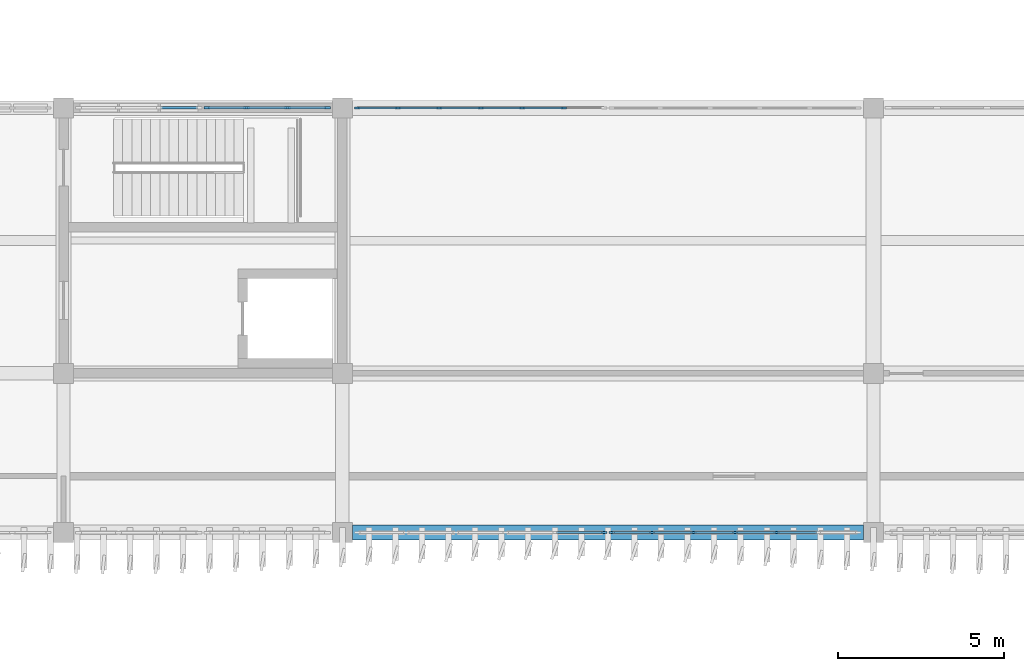
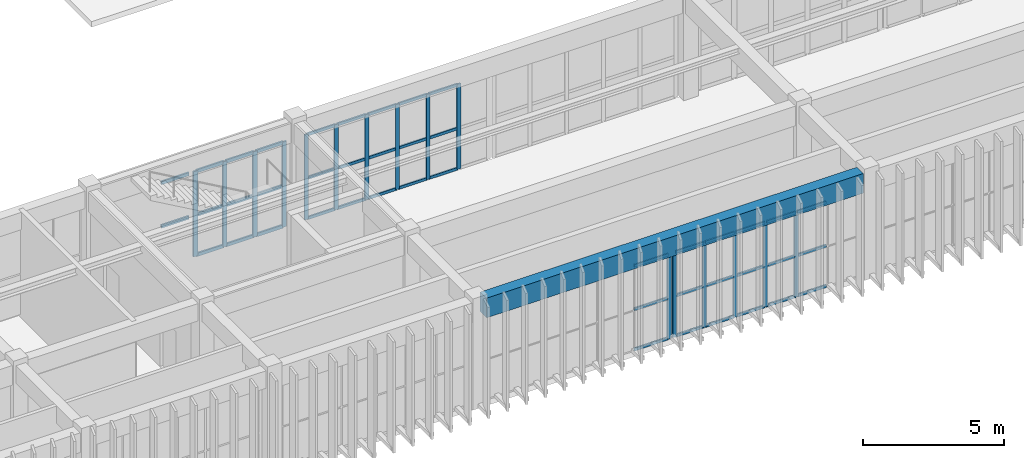
# One storey, part 35 of 76: 60 members, 1 beam, 5 elements without a shape of their own.
"""IFC4 building model written with IfcOpenShell, lengths in metres."""

from ifc_helpers import new_model, si_unit, direction, frame, origin, origin_2d, place, context, subcontext, project, spatial, rectangle, extrude, material, layer, layer_set, material_profile, profile_set, type_object, element, aggregate, save


model = new_model("IFC4")

# Units and contexts
model_context = context("Model", 3, precision=1e-05, world=origin(), true_north=direction((0.0, 1.0)))
body_context = subcontext(model_context, "Body", "Model", "MODEL_VIEW")
ifc_project = project(units=[si_unit("LENGTHUNIT", "METRE"), si_unit("AREAUNIT", "SQUARE_METRE"), si_unit("VOLUMEUNIT", "CUBIC_METRE"), si_unit("PLANEANGLEUNIT", "RADIAN"), si_unit("MASSUNIT", "GRAM", prefix="KILO")], contexts=[model_context])

# Site, building, storey
site_placement = place(None, origin())
site = spatial("IfcSite", under=ifc_project, at=site_placement, CompositionType="ELEMENT")
building_placement = place(site_placement, origin())
building = spatial("IfcBuilding", under=site, at=building_placement, Name="Cinchona Park Media Centre", CompositionType="ELEMENT")
storey_placement = place(building_placement, frame((0.0, 0.0, 15.60009765625)))
storey = spatial("IfcBuildingStorey", under=building, at=storey_placement, Name="L03", CompositionType="ELEMENT", Elevation=15.60009765625)

# Beam
ifc_material_1 = material(Name="Concrete C35/45", Category="concrete")
ifc_material_profile_1 = material_profile(ifc_material_1, rectangle(XDim=0.449951171875, YDim=0.85009765625, at=origin_2d()), Name="RB 450X850")
ifc_profile_set_1 = profile_set([ifc_material_profile_1], Name="Concrete C35/45")
beam_type = type_object("IfcBeamType", Name="BEAM-B02-RB450X850", PredefinedType="BEAM", material=ifc_profile_set_1)
beam_placement = place(storey_placement, frame((95.10009765625, 74.800048828125, 4.15478515625), z_axis=(1.0, 0.0, 0.0), x_axis=(0.0, 1.0, 0.0)))
element("IfcBeam", 1, at=beam_placement, inside=storey, type_object=beam_type, Name="Beam B02 L03", PredefinedType="BEAM", context=body_context, shape_type="SweptSolid", body=[
    extrude(rectangle(XDim=0.449951171875, YDim=0.85009765625, at=origin_2d()), origin(), (0.0, 0.0, 1.0), 15.39990234375),
])

# Curtain wall, members
ifc_material_2 = material(Name="Aluminium Curtain Wall Framing", Category="aluminium")
ifc_layer_1 = layer(ifc_material_2, 0.22509765625)
ifc_layer_set_1 = layer_set([ifc_layer_1], Name="Aluminium Curtain Wall Framing")
curtain_wall_type_1 = type_object("IfcCurtainWallType", Name="CW-CW04", PredefinedType="USERDEFINED", material=ifc_layer_set_1)
curtain_wall_1_placement = place(storey_placement, origin())
curtain_wall_1 = element("IfcCurtainWall", 2, at=curtain_wall_1_placement, inside=storey, type_object=curtain_wall_type_1, Name="Curtain Wall CW04 L03", ObjectType="UNITISED CURTAIN WALL", PredefinedType="USERDEFINED")
ifc_material_3 = material(Name="Anodised Aluminium Alloy 6063-T6", Category="aluminium")
ifc_material_profile_2 = material_profile(ifc_material_3, rectangle(XDim=0.06494140625, YDim=0.159912109375, at=origin_2d()), Name="MUL-65X160")
ifc_profile_set_2 = profile_set([ifc_material_profile_2], Name="Anodised Aluminium Alloy 6063-T6")
member_type_1 = type_object("IfcMemberType", Name="MULLION-MUL01", PredefinedType="MULLION", material=ifc_profile_set_2)
member_1_placement = place(storey_placement, frame((95.25244140625, 87.60009765625, 0.0498046875), z_axis=(0.0, 0.0, 1.0), x_axis=(0.0, 1.0, 0.0)))
member_1 = element("IfcMember", 3, at=member_1_placement, type_object=member_type_1, Name="CW04 mullion 1", PredefinedType="MULLION", context=body_context, shape_type="SweptSolid", body=[
    extrude(rectangle(XDim=0.06494140625, YDim=0.159912109375, at=origin_2d()), origin(), (0.0, 0.0, 1.0), 3.68017578125),
])
member_2_placement = place(storey_placement, frame((96.469970703125, 87.60009765625, 0.0498046875), z_axis=(0.0, 0.0, 1.0), x_axis=(0.0, 1.0, 0.0)))
member_2 = element("IfcMember", 4, at=member_2_placement, type_object=member_type_1, Name="CW04 mullion 2", PredefinedType="MULLION", context=body_context, shape_type="SweptSolid", body=[
    extrude(rectangle(XDim=0.06494140625, YDim=0.159912109375, at=origin_2d()), origin(), (0.0, 0.0, 1.0), 3.68017578125),
])
member_3_placement = place(storey_placement, frame((97.719970703125, 87.60009765625, 0.0498046875), z_axis=(0.0, 0.0, 1.0), x_axis=(0.0, 1.0, 0.0)))
member_3 = element("IfcMember", 5, at=member_3_placement, type_object=member_type_1, Name="CW04 mullion 3", PredefinedType="MULLION", context=body_context, shape_type="SweptSolid", body=[
    extrude(rectangle(XDim=0.06494140625, YDim=0.159912109375, at=origin_2d()), origin(), (0.0, 0.0, 1.0), 3.68017578125),
])
member_4_placement = place(storey_placement, frame((98.969970703125, 87.60009765625, 0.0498046875), z_axis=(0.0, 0.0, 1.0), x_axis=(0.0, 1.0, 0.0)))
member_4 = element("IfcMember", 6, at=member_4_placement, type_object=member_type_1, Name="CW04 mullion 4", PredefinedType="MULLION", context=body_context, shape_type="SweptSolid", body=[
    extrude(rectangle(XDim=0.06494140625, YDim=0.159912109375, at=origin_2d()), origin(), (0.0, 0.0, 1.0), 3.68017578125),
])
member_5_placement = place(storey_placement, frame((100.219970703125, 87.60009765625, 0.0498046875), z_axis=(0.0, 0.0, 1.0), x_axis=(0.0, 1.0, 0.0)))
member_5 = element("IfcMember", 7, at=member_5_placement, type_object=member_type_1, Name="CW04 mullion 5", PredefinedType="MULLION", context=body_context, shape_type="SweptSolid", body=[
    extrude(rectangle(XDim=0.06494140625, YDim=0.159912109375, at=origin_2d()), origin(), (0.0, 0.0, 1.0), 3.68017578125),
])
member_6_placement = place(storey_placement, frame((101.469970703125, 87.60009765625, 0.0498046875), z_axis=(0.0, 0.0, 1.0), x_axis=(0.0, 1.0, 0.0)))
member_6 = element("IfcMember", 8, at=member_6_placement, type_object=member_type_1, Name="CW04 mullion 6", PredefinedType="MULLION", context=body_context, shape_type="SweptSolid", body=[
    extrude(rectangle(XDim=0.06494140625, YDim=0.159912109375, at=origin_2d()), origin(), (0.0, 0.0, 1.0), 3.68017578125),
])

curtain_wall_2_placement = place(storey_placement, origin())
curtain_wall_2 = element("IfcCurtainWall", 9, at=curtain_wall_2_placement, inside=storey, type_object=curtain_wall_type_1, Name="Curtain Wall CW04 L03", ObjectType="UNITISED CURTAIN WALL", PredefinedType="USERDEFINED")
member_7_placement = place(storey_placement, frame((107.8798828125, 74.800048828125, 0.0498046875), z_axis=(0.0, 0.0, 1.0), x_axis=(0.0, -1.0, 0.0)))
member_7 = element("IfcMember", 10, at=member_7_placement, type_object=member_type_1, Name="CW04 mullion 3", PredefinedType="MULLION", context=body_context, shape_type="SweptSolid", body=[
    extrude(rectangle(XDim=0.06494140625, YDim=0.159912109375, at=origin_2d()), origin(), (0.0, 0.0, 1.0), 3.68017578125),
])
member_8_placement = place(storey_placement, frame((106.6298828125, 74.800048828125, 0.0498046875), z_axis=(0.0, 0.0, 1.0), x_axis=(0.0, -1.0, 0.0)))
member_8 = element("IfcMember", 11, at=member_8_placement, type_object=member_type_1, Name="CW04 mullion 4", PredefinedType="MULLION", context=body_context, shape_type="SweptSolid", body=[
    extrude(rectangle(XDim=0.06494140625, YDim=0.159912109375, at=origin_2d()), origin(), (0.0, 0.0, 1.0), 3.68017578125),
])
member_9_placement = place(storey_placement, frame((105.3798828125, 74.800048828125, 0.0498046875), z_axis=(0.0, 0.0, 1.0), x_axis=(0.0, -1.0, 0.0)))
member_9 = element("IfcMember", 12, at=member_9_placement, type_object=member_type_1, Name="CW04 mullion 5", PredefinedType="MULLION", context=body_context, shape_type="SweptSolid", body=[
    extrude(rectangle(XDim=0.06494140625, YDim=0.159912109375, at=origin_2d()), origin(), (0.0, 0.0, 1.0), 3.68017578125),
])
member_10_placement = place(storey_placement, frame((104.1298828125, 74.800048828125, 0.0498046875), z_axis=(0.0, 0.0, 1.0), x_axis=(0.0, -1.0, 0.0)))
member_10 = element("IfcMember", 13, at=member_10_placement, type_object=member_type_1, Name="CW04 mullion 6", PredefinedType="MULLION", context=body_context, shape_type="SweptSolid", body=[
    extrude(rectangle(XDim=0.06494140625, YDim=0.159912109375, at=origin_2d()), origin(), (0.0, 0.0, 1.0), 3.68017578125),
])
member_11_placement = place(storey_placement, frame((102.91259765625, 74.800048828125, 0.0498046875), z_axis=(0.0, 0.0, 1.0), x_axis=(0.0, -1.0, 0.0)))
member_11 = element("IfcMember", 14, at=member_11_placement, type_object=member_type_1, Name="CW04 mullion 7", PredefinedType="MULLION", context=body_context, shape_type="SweptSolid", body=[
    extrude(rectangle(XDim=0.06494140625, YDim=0.159912109375, at=origin_2d()), origin(), (0.0, 0.0, 1.0), 3.68017578125),
])

# Curtain wall, member
ifc_material_4 = material(Name="Aluminium Curtain Wall Framing", Category="aluminium")
ifc_layer_2 = layer(ifc_material_4, 0.239990234375)
ifc_layer_set_2 = layer_set([ifc_layer_2], Name="Aluminium Curtain Wall Framing")
curtain_wall_type_2 = type_object("IfcCurtainWallType", Name="CW-CW05", PredefinedType="USERDEFINED", material=ifc_layer_set_2)
curtain_wall_3_placement = place(storey_placement, origin())
curtain_wall_3 = element("IfcCurtainWall", 15, at=curtain_wall_3_placement, inside=storey, type_object=curtain_wall_type_2, Name="Curtain Wall CW05 L03", ObjectType="UNITISED CURTAIN WALL", PredefinedType="USERDEFINED")
member_12_placement = place(storey_placement, frame((102.6875, 74.800048828125, 0.0498046875), z_axis=(0.0, 0.0, 1.0), x_axis=(0.0, -1.0, 0.0)))
member_12 = element("IfcMember", 16, at=member_12_placement, type_object=member_type_1, Name="CW05 mullion 1", PredefinedType="MULLION", context=body_context, shape_type="SweptSolid", body=[
    extrude(rectangle(XDim=0.06494140625, YDim=0.159912109375, at=origin_2d()), origin(), (0.0, 0.0, 1.0), 3.68017578125),
])

# Curtain wall, members
ifc_material_5 = material(Name="Aluminium Curtain Wall Framing", Category="aluminium")
ifc_layer_3 = layer(ifc_material_5, 0.2099609375)
ifc_layer_set_3 = layer_set([ifc_layer_3], Name="Aluminium Curtain Wall Framing")
curtain_wall_type_3 = type_object("IfcCurtainWallType", Name="CW-CW03", PredefinedType="USERDEFINED", material=ifc_layer_set_3)
curtain_wall_4_placement = place(storey_placement, origin())
curtain_wall_4 = element("IfcCurtainWall", 17, at=curtain_wall_4_placement, inside=storey, type_object=curtain_wall_type_3, Name="Curtain Wall CW03 L03", ObjectType="UNITISED CURTAIN WALL", PredefinedType="USERDEFINED")
ifc_material_6 = material(Name="Anodised Aluminium Alloy 6063-T6", Category="aluminium")
ifc_material_profile_3 = material_profile(ifc_material_6, rectangle(XDim=0.070068359375, YDim=0.179931640625, at=origin_2d()), Name="MUL-70X180")
ifc_profile_set_3 = profile_set([ifc_material_profile_3], Name="Anodised Aluminium Alloy 6063-T6")
member_type_2 = type_object("IfcMemberType", Name="MULLION-MUL02", PredefinedType="MULLION", material=ifc_profile_set_3)
member_13_placement = place(storey_placement, frame((90.715087890625, 87.60009765625, 0.0498046875), z_axis=(0.0, 0.0, 1.0), x_axis=(0.0, 1.0, 0.0)))
member_13 = element("IfcMember", 18, at=member_13_placement, type_object=member_type_2, Name="CW03 mullion 1", PredefinedType="MULLION", context=body_context, shape_type="SweptSolid", body=[
    extrude(rectangle(XDim=0.070068359375, YDim=0.179931640625, at=origin_2d()), origin(), (0.0, 0.0, 1.0), 3.68017578125),
])
member_14_placement = place(storey_placement, frame((91.913330078125, 87.60009765625, 0.0498046875), z_axis=(0.0, 0.0, 1.0), x_axis=(0.0, 1.0, 0.0)))
member_14 = element("IfcMember", 19, at=member_14_placement, type_object=member_type_2, Name="CW03 mullion 2", PredefinedType="MULLION", context=body_context, shape_type="SweptSolid", body=[
    extrude(rectangle(XDim=0.070068359375, YDim=0.179931640625, at=origin_2d()), origin(), (0.0, 0.0, 1.0), 3.68017578125),
])
member_15_placement = place(storey_placement, frame((93.146728515625, 87.60009765625, 0.0498046875), z_axis=(0.0, 0.0, 1.0), x_axis=(0.0, 1.0, 0.0)))
member_15 = element("IfcMember", 20, at=member_15_placement, type_object=member_type_2, Name="CW03 mullion 3", PredefinedType="MULLION", context=body_context, shape_type="SweptSolid", body=[
    extrude(rectangle(XDim=0.070068359375, YDim=0.179931640625, at=origin_2d()), origin(), (0.0, 0.0, 1.0), 3.68017578125),
])
member_16_placement = place(storey_placement, frame((94.344970703125, 87.60009765625, 0.0498046875), z_axis=(0.0, 0.0, 1.0), x_axis=(0.0, 1.0, 0.0)))
member_16 = element("IfcMember", 21, at=member_16_placement, type_object=member_type_2, Name="CW03 mullion 4", PredefinedType="MULLION", context=body_context, shape_type="SweptSolid", body=[
    extrude(rectangle(XDim=0.070068359375, YDim=0.179931640625, at=origin_2d()), origin(), (0.0, 0.0, 1.0), 3.68017578125),
])

# Member
ifc_material_7 = material(Name="Anodised Aluminium Alloy 6063-T6", Category="aluminium")
ifc_material_profile_4 = material_profile(ifc_material_7, rectangle(XDim=0.06494140625, YDim=0.1201171875, at=origin_2d()), Name="TRN-65X120")
ifc_profile_set_4 = profile_set([ifc_material_profile_4], Name="Anodised Aluminium Alloy 6063-T6")
member_type_3 = type_object("IfcMemberType", Name="TRANSOM-TRN01", PredefinedType="USERDEFINED", material=ifc_profile_set_4)
member_17_placement = place(storey_placement, frame((95.284912109375, 87.60009765625, 0.08251953125), z_axis=(1.0, 0.0, 0.0), x_axis=(0.0, 1.0, 0.0)))
member_17 = element("IfcMember", 22, at=member_17_placement, type_object=member_type_3, Name="CW04 transom 1.1", ObjectType="TRANSOM", PredefinedType="USERDEFINED", context=body_context, shape_type="SweptSolid", body=[
    extrude(rectangle(XDim=0.06494140625, YDim=0.1201171875, at=origin_2d()), origin(), (0.0, 0.0, 1.0), 1.152587890625),
])

member_18_placement = place(storey_placement, frame((95.284912109375, 87.60009765625, 1.81591796875), z_axis=(1.0, 0.0, 0.0), x_axis=(0.0, 1.0, 0.0)))
member_18 = element("IfcMember", 23, at=member_18_placement, type_object=member_type_3, Name="CW04 transom 1.2", ObjectType="TRANSOM", PredefinedType="USERDEFINED", context=body_context, shape_type="SweptSolid", body=[
    extrude(rectangle(XDim=0.06494140625, YDim=0.1201171875, at=origin_2d()), origin(), (0.0, 0.0, 1.0), 1.152587890625),
])

member_19_placement = place(storey_placement, frame((95.284912109375, 87.60009765625, 3.697509765625), z_axis=(1.0, 0.0, 0.0), x_axis=(0.0, 1.0, 0.0)))
member_19 = element("IfcMember", 24, at=member_19_placement, type_object=member_type_3, Name="CW04 transom 1.3", ObjectType="TRANSOM", PredefinedType="USERDEFINED", context=body_context, shape_type="SweptSolid", body=[
    extrude(rectangle(XDim=0.06494140625, YDim=0.1201171875, at=origin_2d()), origin(), (0.0, 0.0, 1.0), 1.152587890625),
])

member_20_placement = place(storey_placement, frame((96.50244140625, 87.60009765625, 0.08251953125), z_axis=(1.0, 0.0, 0.0), x_axis=(0.0, 1.0, 0.0)))
member_20 = element("IfcMember", 25, at=member_20_placement, type_object=member_type_3, Name="CW04 transom 2.1", ObjectType="TRANSOM", PredefinedType="USERDEFINED", context=body_context, shape_type="SweptSolid", body=[
    extrude(rectangle(XDim=0.06494140625, YDim=0.1201171875, at=origin_2d()), origin(), (0.0, 0.0, 1.0), 1.18505859375),
])

member_21_placement = place(storey_placement, frame((96.50244140625, 87.60009765625, 1.81591796875), z_axis=(1.0, 0.0, 0.0), x_axis=(0.0, 1.0, 0.0)))
member_21 = element("IfcMember", 26, at=member_21_placement, type_object=member_type_3, Name="CW04 transom 2.2", ObjectType="TRANSOM", PredefinedType="USERDEFINED", context=body_context, shape_type="SweptSolid", body=[
    extrude(rectangle(XDim=0.06494140625, YDim=0.1201171875, at=origin_2d()), origin(), (0.0, 0.0, 1.0), 1.18505859375),
])

member_22_placement = place(storey_placement, frame((96.50244140625, 87.60009765625, 3.697509765625), z_axis=(1.0, 0.0, 0.0), x_axis=(0.0, 1.0, 0.0)))
member_22 = element("IfcMember", 27, at=member_22_placement, type_object=member_type_3, Name="CW04 transom 2.3", ObjectType="TRANSOM", PredefinedType="USERDEFINED", context=body_context, shape_type="SweptSolid", body=[
    extrude(rectangle(XDim=0.06494140625, YDim=0.1201171875, at=origin_2d()), origin(), (0.0, 0.0, 1.0), 1.18505859375),
])

member_23_placement = place(storey_placement, frame((97.75244140625, 87.60009765625, 0.08251953125), z_axis=(1.0, 0.0, 0.0), x_axis=(0.0, 1.0, 0.0)))
member_23 = element("IfcMember", 28, at=member_23_placement, type_object=member_type_3, Name="CW04 transom 3.1", ObjectType="TRANSOM", PredefinedType="USERDEFINED", context=body_context, shape_type="SweptSolid", body=[
    extrude(rectangle(XDim=0.06494140625, YDim=0.1201171875, at=origin_2d()), origin(), (0.0, 0.0, 1.0), 1.18505859375),
])

member_24_placement = place(storey_placement, frame((97.75244140625, 87.60009765625, 1.81591796875), z_axis=(1.0, 0.0, 0.0), x_axis=(0.0, 1.0, 0.0)))
member_24 = element("IfcMember", 29, at=member_24_placement, type_object=member_type_3, Name="CW04 transom 3.2", ObjectType="TRANSOM", PredefinedType="USERDEFINED", context=body_context, shape_type="SweptSolid", body=[
    extrude(rectangle(XDim=0.06494140625, YDim=0.1201171875, at=origin_2d()), origin(), (0.0, 0.0, 1.0), 1.18505859375),
])

member_25_placement = place(storey_placement, frame((97.75244140625, 87.60009765625, 3.697509765625), z_axis=(1.0, 0.0, 0.0), x_axis=(0.0, 1.0, 0.0)))
member_25 = element("IfcMember", 30, at=member_25_placement, type_object=member_type_3, Name="CW04 transom 3.3", ObjectType="TRANSOM", PredefinedType="USERDEFINED", context=body_context, shape_type="SweptSolid", body=[
    extrude(rectangle(XDim=0.06494140625, YDim=0.1201171875, at=origin_2d()), origin(), (0.0, 0.0, 1.0), 1.18505859375),
])

member_26_placement = place(storey_placement, frame((99.00244140625, 87.60009765625, 0.08251953125), z_axis=(1.0, 0.0, 0.0), x_axis=(0.0, 1.0, 0.0)))
member_26 = element("IfcMember", 31, at=member_26_placement, type_object=member_type_3, Name="CW04 transom 4.1", ObjectType="TRANSOM", PredefinedType="USERDEFINED", context=body_context, shape_type="SweptSolid", body=[
    extrude(rectangle(XDim=0.06494140625, YDim=0.1201171875, at=origin_2d()), origin(), (0.0, 0.0, 1.0), 1.18505859375),
])

member_27_placement = place(storey_placement, frame((99.00244140625, 87.60009765625, 1.81591796875), z_axis=(1.0, 0.0, 0.0), x_axis=(0.0, 1.0, 0.0)))
member_27 = element("IfcMember", 32, at=member_27_placement, type_object=member_type_3, Name="CW04 transom 4.2", ObjectType="TRANSOM", PredefinedType="USERDEFINED", context=body_context, shape_type="SweptSolid", body=[
    extrude(rectangle(XDim=0.06494140625, YDim=0.1201171875, at=origin_2d()), origin(), (0.0, 0.0, 1.0), 1.18505859375),
])

member_28_placement = place(storey_placement, frame((99.00244140625, 87.60009765625, 3.697509765625), z_axis=(1.0, 0.0, 0.0), x_axis=(0.0, 1.0, 0.0)))
member_28 = element("IfcMember", 33, at=member_28_placement, type_object=member_type_3, Name="CW04 transom 4.3", ObjectType="TRANSOM", PredefinedType="USERDEFINED", context=body_context, shape_type="SweptSolid", body=[
    extrude(rectangle(XDim=0.06494140625, YDim=0.1201171875, at=origin_2d()), origin(), (0.0, 0.0, 1.0), 1.18505859375),
])

member_29_placement = place(storey_placement, frame((100.25244140625, 87.60009765625, 0.08251953125), z_axis=(1.0, 0.0, 0.0), x_axis=(0.0, 1.0, 0.0)))
member_29 = element("IfcMember", 34, at=member_29_placement, type_object=member_type_3, Name="CW04 transom 5.1", ObjectType="TRANSOM", PredefinedType="USERDEFINED", context=body_context, shape_type="SweptSolid", body=[
    extrude(rectangle(XDim=0.06494140625, YDim=0.1201171875, at=origin_2d()), origin(), (0.0, 0.0, 1.0), 1.18505859375),
])

member_30_placement = place(storey_placement, frame((100.25244140625, 87.60009765625, 1.81591796875), z_axis=(1.0, 0.0, 0.0), x_axis=(0.0, 1.0, 0.0)))
member_30 = element("IfcMember", 35, at=member_30_placement, type_object=member_type_3, Name="CW04 transom 5.2", ObjectType="TRANSOM", PredefinedType="USERDEFINED", context=body_context, shape_type="SweptSolid", body=[
    extrude(rectangle(XDim=0.06494140625, YDim=0.1201171875, at=origin_2d()), origin(), (0.0, 0.0, 1.0), 1.18505859375),
])

member_31_placement = place(storey_placement, frame((100.25244140625, 87.60009765625, 3.697509765625), z_axis=(1.0, 0.0, 0.0), x_axis=(0.0, 1.0, 0.0)))
member_31 = element("IfcMember", 36, at=member_31_placement, type_object=member_type_3, Name="CW04 transom 5.3", ObjectType="TRANSOM", PredefinedType="USERDEFINED", context=body_context, shape_type="SweptSolid", body=[
    extrude(rectangle(XDim=0.06494140625, YDim=0.1201171875, at=origin_2d()), origin(), (0.0, 0.0, 1.0), 1.18505859375),
])

aggregate(curtain_wall_1, [member_1, member_2, member_3, member_4, member_5, member_6, member_17, member_18, member_19, member_20, member_21, member_22, member_23, member_24, member_25, member_26, member_27, member_28, member_29, member_30, member_31])

member_32_placement = place(storey_placement, frame((109.097412109375, 74.800048828125, 0.08251953125), z_axis=(-1.0, 0.0, 0.0), x_axis=(0.0, -1.0, 0.0)))
member_32 = element("IfcMember", 37, at=member_32_placement, type_object=member_type_3, Name="CW04 transom 2.1", ObjectType="TRANSOM", PredefinedType="USERDEFINED", context=body_context, shape_type="SweptSolid", body=[
    extrude(rectangle(XDim=0.06494140625, YDim=0.1201171875, at=origin_2d()), origin(), (0.0, 0.0, 1.0), 1.184814453125),
])

member_33_placement = place(storey_placement, frame((109.097412109375, 74.800048828125, 1.81591796875), z_axis=(-1.0, 0.0, 0.0), x_axis=(0.0, -1.0, 0.0)))
member_33 = element("IfcMember", 38, at=member_33_placement, type_object=member_type_3, Name="CW04 transom 2.2", ObjectType="TRANSOM", PredefinedType="USERDEFINED", context=body_context, shape_type="SweptSolid", body=[
    extrude(rectangle(XDim=0.06494140625, YDim=0.1201171875, at=origin_2d()), origin(), (0.0, 0.0, 1.0), 1.184814453125),
])

member_34_placement = place(storey_placement, frame((109.097412109375, 74.800048828125, 3.697509765625), z_axis=(-1.0, 0.0, 0.0), x_axis=(0.0, -1.0, 0.0)))
member_34 = element("IfcMember", 39, at=member_34_placement, type_object=member_type_3, Name="CW04 transom 2.3", ObjectType="TRANSOM", PredefinedType="USERDEFINED", context=body_context, shape_type="SweptSolid", body=[
    extrude(rectangle(XDim=0.06494140625, YDim=0.1201171875, at=origin_2d()), origin(), (0.0, 0.0, 1.0), 1.184814453125),
])

member_35_placement = place(storey_placement, frame((107.847412109375, 74.800048828125, 0.08251953125), z_axis=(-1.0, 0.0, 0.0), x_axis=(0.0, -1.0, 0.0)))
member_35 = element("IfcMember", 40, at=member_35_placement, type_object=member_type_3, Name="CW04 transom 3.1", ObjectType="TRANSOM", PredefinedType="USERDEFINED", context=body_context, shape_type="SweptSolid", body=[
    extrude(rectangle(XDim=0.06494140625, YDim=0.1201171875, at=origin_2d()), origin(), (0.0, 0.0, 1.0), 1.184814453125),
])

member_36_placement = place(storey_placement, frame((107.847412109375, 74.800048828125, 1.81591796875), z_axis=(-1.0, 0.0, 0.0), x_axis=(0.0, -1.0, 0.0)))
member_36 = element("IfcMember", 41, at=member_36_placement, type_object=member_type_3, Name="CW04 transom 3.2", ObjectType="TRANSOM", PredefinedType="USERDEFINED", context=body_context, shape_type="SweptSolid", body=[
    extrude(rectangle(XDim=0.06494140625, YDim=0.1201171875, at=origin_2d()), origin(), (0.0, 0.0, 1.0), 1.184814453125),
])

member_37_placement = place(storey_placement, frame((107.847412109375, 74.800048828125, 3.697509765625), z_axis=(-1.0, 0.0, 0.0), x_axis=(0.0, -1.0, 0.0)))
member_37 = element("IfcMember", 42, at=member_37_placement, type_object=member_type_3, Name="CW04 transom 3.3", ObjectType="TRANSOM", PredefinedType="USERDEFINED", context=body_context, shape_type="SweptSolid", body=[
    extrude(rectangle(XDim=0.06494140625, YDim=0.1201171875, at=origin_2d()), origin(), (0.0, 0.0, 1.0), 1.184814453125),
])

member_38_placement = place(storey_placement, frame((106.597412109375, 74.800048828125, 0.08251953125), z_axis=(-1.0, 0.0, 0.0), x_axis=(0.0, -1.0, 0.0)))
member_38 = element("IfcMember", 43, at=member_38_placement, type_object=member_type_3, Name="CW04 transom 4.1", ObjectType="TRANSOM", PredefinedType="USERDEFINED", context=body_context, shape_type="SweptSolid", body=[
    extrude(rectangle(XDim=0.06494140625, YDim=0.1201171875, at=origin_2d()), origin(), (0.0, 0.0, 1.0), 1.184814453125),
])

member_39_placement = place(storey_placement, frame((106.597412109375, 74.800048828125, 1.81591796875), z_axis=(-1.0, 0.0, 0.0), x_axis=(0.0, -1.0, 0.0)))
member_39 = element("IfcMember", 44, at=member_39_placement, type_object=member_type_3, Name="CW04 transom 4.2", ObjectType="TRANSOM", PredefinedType="USERDEFINED", context=body_context, shape_type="SweptSolid", body=[
    extrude(rectangle(XDim=0.06494140625, YDim=0.1201171875, at=origin_2d()), origin(), (0.0, 0.0, 1.0), 1.184814453125),
])

member_40_placement = place(storey_placement, frame((106.597412109375, 74.800048828125, 3.697509765625), z_axis=(-1.0, 0.0, 0.0), x_axis=(0.0, -1.0, 0.0)))
member_40 = element("IfcMember", 45, at=member_40_placement, type_object=member_type_3, Name="CW04 transom 4.3", ObjectType="TRANSOM", PredefinedType="USERDEFINED", context=body_context, shape_type="SweptSolid", body=[
    extrude(rectangle(XDim=0.06494140625, YDim=0.1201171875, at=origin_2d()), origin(), (0.0, 0.0, 1.0), 1.184814453125),
])

member_41_placement = place(storey_placement, frame((105.347412109375, 74.800048828125, 0.08251953125), z_axis=(-1.0, 0.0, 0.0), x_axis=(0.0, -1.0, 0.0)))
member_41 = element("IfcMember", 46, at=member_41_placement, type_object=member_type_3, Name="CW04 transom 5.1", ObjectType="TRANSOM", PredefinedType="USERDEFINED", context=body_context, shape_type="SweptSolid", body=[
    extrude(rectangle(XDim=0.06494140625, YDim=0.1201171875, at=origin_2d()), origin(), (0.0, 0.0, 1.0), 1.184814453125),
])

member_42_placement = place(storey_placement, frame((105.347412109375, 74.800048828125, 1.81591796875), z_axis=(-1.0, 0.0, 0.0), x_axis=(0.0, -1.0, 0.0)))
member_42 = element("IfcMember", 47, at=member_42_placement, type_object=member_type_3, Name="CW04 transom 5.2", ObjectType="TRANSOM", PredefinedType="USERDEFINED", context=body_context, shape_type="SweptSolid", body=[
    extrude(rectangle(XDim=0.06494140625, YDim=0.1201171875, at=origin_2d()), origin(), (0.0, 0.0, 1.0), 1.184814453125),
])

member_43_placement = place(storey_placement, frame((105.347412109375, 74.800048828125, 3.697509765625), z_axis=(-1.0, 0.0, 0.0), x_axis=(0.0, -1.0, 0.0)))
member_43 = element("IfcMember", 48, at=member_43_placement, type_object=member_type_3, Name="CW04 transom 5.3", ObjectType="TRANSOM", PredefinedType="USERDEFINED", context=body_context, shape_type="SweptSolid", body=[
    extrude(rectangle(XDim=0.06494140625, YDim=0.1201171875, at=origin_2d()), origin(), (0.0, 0.0, 1.0), 1.184814453125),
])

member_44_placement = place(storey_placement, frame((104.097412109375, 74.800048828125, 0.08251953125), z_axis=(-1.0, 0.0, 0.0), x_axis=(0.0, -1.0, 0.0)))
member_44 = element("IfcMember", 49, at=member_44_placement, type_object=member_type_3, Name="CW04 transom 6.1", ObjectType="TRANSOM", PredefinedType="USERDEFINED", context=body_context, shape_type="SweptSolid", body=[
    extrude(rectangle(XDim=0.06494140625, YDim=0.1201171875, at=origin_2d()), origin(), (0.0, 0.0, 1.0), 1.15234375),
])

member_45_placement = place(storey_placement, frame((104.097412109375, 74.800048828125, 1.81591796875), z_axis=(-1.0, 0.0, 0.0), x_axis=(0.0, -1.0, 0.0)))
member_45 = element("IfcMember", 50, at=member_45_placement, type_object=member_type_3, Name="CW04 transom 6.2", ObjectType="TRANSOM", PredefinedType="USERDEFINED", context=body_context, shape_type="SweptSolid", body=[
    extrude(rectangle(XDim=0.06494140625, YDim=0.1201171875, at=origin_2d()), origin(), (0.0, 0.0, 1.0), 1.15234375),
])

member_46_placement = place(storey_placement, frame((104.097412109375, 74.800048828125, 3.697509765625), z_axis=(-1.0, 0.0, 0.0), x_axis=(0.0, -1.0, 0.0)))
member_46 = element("IfcMember", 51, at=member_46_placement, type_object=member_type_3, Name="CW04 transom 6.3", ObjectType="TRANSOM", PredefinedType="USERDEFINED", context=body_context, shape_type="SweptSolid", body=[
    extrude(rectangle(XDim=0.06494140625, YDim=0.1201171875, at=origin_2d()), origin(), (0.0, 0.0, 1.0), 1.15234375),
])

aggregate(curtain_wall_2, [member_7, member_8, member_9, member_10, member_11, member_32, member_33, member_34, member_35, member_36, member_37, member_38, member_39, member_40, member_41, member_42, member_43, member_44, member_45, member_46])

member_47_placement = place(storey_placement, frame((102.655029296875, 74.800048828125, 0.08251953125), z_axis=(-1.0, 0.0, 0.0), x_axis=(0.0, -1.0, 0.0)))
member_47 = element("IfcMember", 52, at=member_47_placement, type_object=member_type_3, Name="CW05 transom 1.1", ObjectType="TRANSOM", PredefinedType="USERDEFINED", context=body_context, shape_type="SweptSolid", body=[
    extrude(rectangle(XDim=0.06494140625, YDim=0.1201171875, at=origin_2d()), origin(), (0.0, 0.0, 1.0), 1.402587890625),
])

member_48_placement = place(storey_placement, frame((102.655029296875, 74.800048828125, 1.81591796875), z_axis=(-1.0, 0.0, 0.0), x_axis=(0.0, -1.0, 0.0)))
member_48 = element("IfcMember", 53, at=member_48_placement, type_object=member_type_3, Name="CW05 transom 1.2", ObjectType="TRANSOM", PredefinedType="USERDEFINED", context=body_context, shape_type="SweptSolid", body=[
    extrude(rectangle(XDim=0.06494140625, YDim=0.1201171875, at=origin_2d()), origin(), (0.0, 0.0, 1.0), 1.402587890625),
])

member_49_placement = place(storey_placement, frame((102.655029296875, 74.800048828125, 3.697509765625), z_axis=(-1.0, 0.0, 0.0), x_axis=(0.0, -1.0, 0.0)))
member_49 = element("IfcMember", 54, at=member_49_placement, type_object=member_type_3, Name="CW05 transom 1.3", ObjectType="TRANSOM", PredefinedType="USERDEFINED", context=body_context, shape_type="SweptSolid", body=[
    extrude(rectangle(XDim=0.06494140625, YDim=0.1201171875, at=origin_2d()), origin(), (0.0, 0.0, 1.0), 1.402587890625),
])

aggregate(curtain_wall_3, [member_12, member_47, member_48, member_49])

# Curtain wall, members
ifc_material_8 = material(Name="Aluminium Curtain Wall Framing", Category="aluminium")
ifc_layer_4 = layer(ifc_material_8, 0.195068359375)
ifc_layer_set_4 = layer_set([ifc_layer_4], Name="Aluminium Curtain Wall Framing")
curtain_wall_type_4 = type_object("IfcCurtainWallType", Name="CW-CW02", PredefinedType="USERDEFINED", material=ifc_layer_set_4)
curtain_wall_5_placement = place(storey_placement, origin())
curtain_wall_5 = element("IfcCurtainWall", 55, at=curtain_wall_5_placement, inside=storey, type_object=curtain_wall_type_4, Name="Curtain Wall CW02 L03", ObjectType="UNITISED CURTAIN WALL", PredefinedType="USERDEFINED")
ifc_material_9 = material(Name="Anodised Aluminium Alloy 6063-T6", Category="aluminium")
ifc_material_profile_5 = material_profile(ifc_material_9, rectangle(XDim=0.070068359375, YDim=0.139892578125, at=origin_2d()), Name="TRN-70X140")
ifc_profile_set_5 = profile_set([ifc_material_profile_5], Name="Anodised Aluminium Alloy 6063-T6")
member_type_4 = type_object("IfcMemberType", Name="TRANSOM-TRN02", PredefinedType="USERDEFINED", material=ifc_profile_set_5)
member_50_placement = place(storey_placement, frame((89.32177734375, 87.60009765625, 1.81591796875), z_axis=(1.0, 0.0, 0.0), x_axis=(0.0, 1.0, 0.0)))
member_50 = element("IfcMember", 56, at=member_50_placement, type_object=member_type_4, Name="CW02 transom 3.2", ObjectType="TRANSOM", PredefinedType="USERDEFINED", context=body_context, shape_type="SweptSolid", body=[
    extrude(rectangle(XDim=0.070068359375, YDim=0.139892578125, at=origin_2d()), origin(), (0.0, 0.0, 1.0), 1.128173828125),
])
member_51_placement = place(storey_placement, frame((89.32177734375, 87.60009765625, 3.69482421875), z_axis=(1.0, 0.0, 0.0), x_axis=(0.0, 1.0, 0.0)))
member_51 = element("IfcMember", 57, at=member_51_placement, type_object=member_type_4, Name="CW02 transom 3.3", ObjectType="TRANSOM", PredefinedType="USERDEFINED", context=body_context, shape_type="SweptSolid", body=[
    extrude(rectangle(XDim=0.070068359375, YDim=0.139892578125, at=origin_2d()), origin(), (0.0, 0.0, 1.0), 1.128173828125),
])
aggregate(curtain_wall_5, [member_50, member_51])

# Member
member_52_placement = place(storey_placement, frame((90.75, 87.60009765625, 0.0849609375), z_axis=(1.0, 0.0, 0.0), x_axis=(0.0, 1.0, 0.0)))
member_52 = element("IfcMember", 58, at=member_52_placement, type_object=member_type_4, Name="CW03 transom 1.1", ObjectType="TRANSOM", PredefinedType="USERDEFINED", context=body_context, shape_type="SweptSolid", body=[
    extrude(rectangle(XDim=0.070068359375, YDim=0.139892578125, at=origin_2d()), origin(), (0.0, 0.0, 1.0), 1.12841796875),
])

member_53_placement = place(storey_placement, frame((90.75, 87.60009765625, 1.81591796875), z_axis=(1.0, 0.0, 0.0), x_axis=(0.0, 1.0, 0.0)))
member_53 = element("IfcMember", 59, at=member_53_placement, type_object=member_type_4, Name="CW03 transom 1.2", ObjectType="TRANSOM", PredefinedType="USERDEFINED", context=body_context, shape_type="SweptSolid", body=[
    extrude(rectangle(XDim=0.070068359375, YDim=0.139892578125, at=origin_2d()), origin(), (0.0, 0.0, 1.0), 1.12841796875),
])

member_54_placement = place(storey_placement, frame((90.75, 87.60009765625, 3.69482421875), z_axis=(1.0, 0.0, 0.0), x_axis=(0.0, 1.0, 0.0)))
member_54 = element("IfcMember", 60, at=member_54_placement, type_object=member_type_4, Name="CW03 transom 1.3", ObjectType="TRANSOM", PredefinedType="USERDEFINED", context=body_context, shape_type="SweptSolid", body=[
    extrude(rectangle(XDim=0.070068359375, YDim=0.139892578125, at=origin_2d()), origin(), (0.0, 0.0, 1.0), 1.12841796875),
])

member_55_placement = place(storey_placement, frame((91.9482421875, 87.60009765625, 0.0849609375), z_axis=(1.0, 0.0, 0.0), x_axis=(0.0, 1.0, 0.0)))
member_55 = element("IfcMember", 61, at=member_55_placement, type_object=member_type_4, Name="CW03 transom 2.1", ObjectType="TRANSOM", PredefinedType="USERDEFINED", context=body_context, shape_type="SweptSolid", body=[
    extrude(rectangle(XDim=0.070068359375, YDim=0.139892578125, at=origin_2d()), origin(), (0.0, 0.0, 1.0), 1.163330078125),
])

member_56_placement = place(storey_placement, frame((91.9482421875, 87.60009765625, 1.81591796875), z_axis=(1.0, 0.0, 0.0), x_axis=(0.0, 1.0, 0.0)))
member_56 = element("IfcMember", 62, at=member_56_placement, type_object=member_type_4, Name="CW03 transom 2.2", ObjectType="TRANSOM", PredefinedType="USERDEFINED", context=body_context, shape_type="SweptSolid", body=[
    extrude(rectangle(XDim=0.070068359375, YDim=0.139892578125, at=origin_2d()), origin(), (0.0, 0.0, 1.0), 1.163330078125),
])

member_57_placement = place(storey_placement, frame((91.9482421875, 87.60009765625, 3.69482421875), z_axis=(1.0, 0.0, 0.0), x_axis=(0.0, 1.0, 0.0)))
member_57 = element("IfcMember", 63, at=member_57_placement, type_object=member_type_4, Name="CW03 transom 2.3", ObjectType="TRANSOM", PredefinedType="USERDEFINED", context=body_context, shape_type="SweptSolid", body=[
    extrude(rectangle(XDim=0.070068359375, YDim=0.139892578125, at=origin_2d()), origin(), (0.0, 0.0, 1.0), 1.163330078125),
])

member_58_placement = place(storey_placement, frame((93.181640625, 87.60009765625, 0.0849609375), z_axis=(1.0, 0.0, 0.0), x_axis=(0.0, 1.0, 0.0)))
member_58 = element("IfcMember", 64, at=member_58_placement, type_object=member_type_4, Name="CW03 transom 3.1", ObjectType="TRANSOM", PredefinedType="USERDEFINED", context=body_context, shape_type="SweptSolid", body=[
    extrude(rectangle(XDim=0.070068359375, YDim=0.139892578125, at=origin_2d()), origin(), (0.0, 0.0, 1.0), 1.12841796875),
])

member_59_placement = place(storey_placement, frame((93.181640625, 87.60009765625, 1.81591796875), z_axis=(1.0, 0.0, 0.0), x_axis=(0.0, 1.0, 0.0)))
member_59 = element("IfcMember", 65, at=member_59_placement, type_object=member_type_4, Name="CW03 transom 3.2", ObjectType="TRANSOM", PredefinedType="USERDEFINED", context=body_context, shape_type="SweptSolid", body=[
    extrude(rectangle(XDim=0.070068359375, YDim=0.139892578125, at=origin_2d()), origin(), (0.0, 0.0, 1.0), 1.12841796875),
])

member_60_placement = place(storey_placement, frame((93.181640625, 87.60009765625, 3.69482421875), z_axis=(1.0, 0.0, 0.0), x_axis=(0.0, 1.0, 0.0)))
member_60 = element("IfcMember", 66, at=member_60_placement, type_object=member_type_4, Name="CW03 transom 3.3", ObjectType="TRANSOM", PredefinedType="USERDEFINED", context=body_context, shape_type="SweptSolid", body=[
    extrude(rectangle(XDim=0.070068359375, YDim=0.139892578125, at=origin_2d()), origin(), (0.0, 0.0, 1.0), 1.12841796875),
])

aggregate(curtain_wall_4, [member_13, member_14, member_15, member_16, member_52, member_53, member_54, member_55, member_56, member_57, member_58, member_59, member_60])

save(model, "model.ifc")
